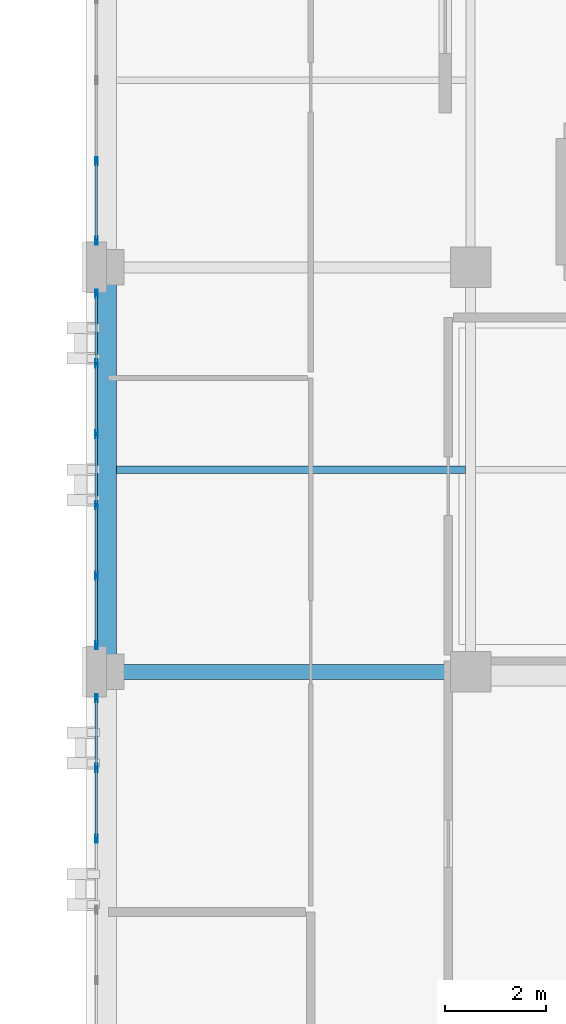
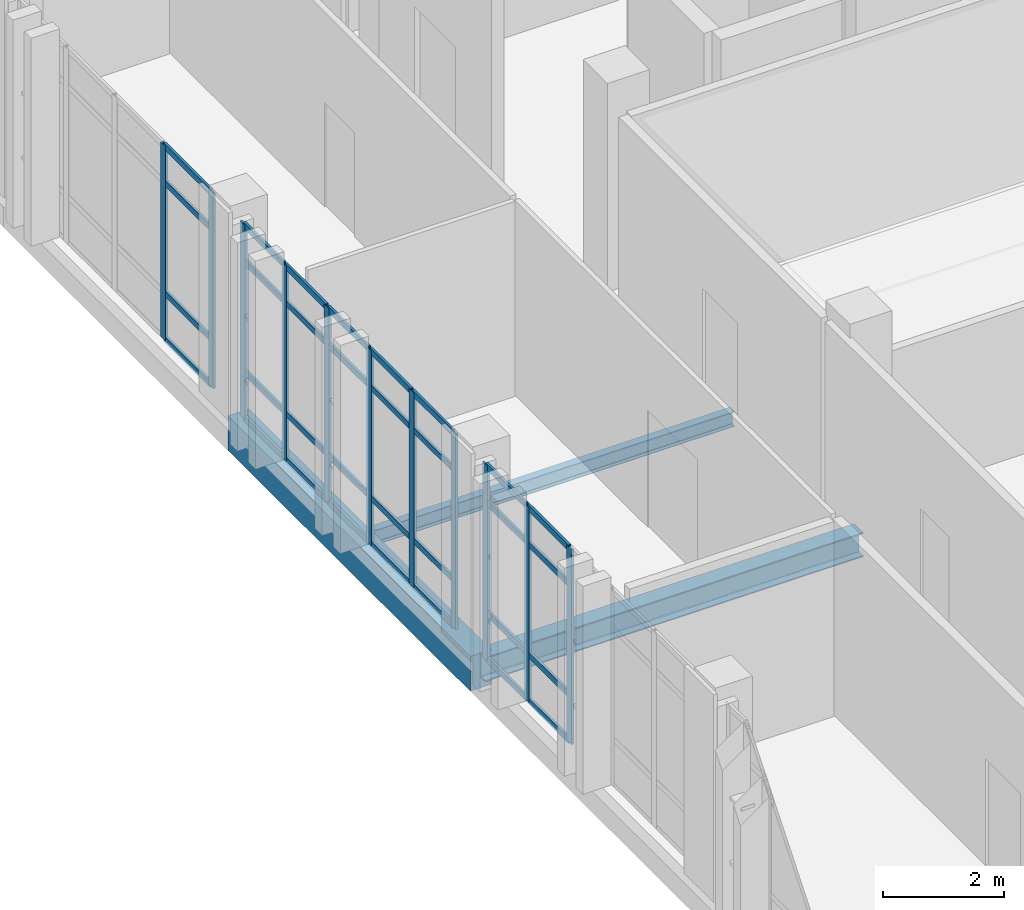
# One storey, part 57 of 158: 43 members, 3 beams, 3 elements without a shape of their own.
"""IFC4 building model written with IfcOpenShell, lengths in metres."""

from ifc_helpers import new_model, si_unit, direction, frame, origin, origin_2d, place, context, subcontext, project, spatial, rectangle, hollow_rectangle, i_section, extrude, material, layer, layer_set, material_profile, profile_set, type_object, element, aggregate, save


model = new_model("IFC4")

# Units and contexts
model_context = context("Model", 3, precision=1e-05, world=origin(), true_north=direction((0.0, 1.0)))
body_context = subcontext(model_context, "Body", "Model", "MODEL_VIEW")
ifc_project = project(units=[si_unit("LENGTHUNIT", "METRE"), si_unit("AREAUNIT", "SQUARE_METRE"), si_unit("VOLUMEUNIT", "CUBIC_METRE"), si_unit("PLANEANGLEUNIT", "RADIAN"), si_unit("MASSUNIT", "GRAM", prefix="KILO")], contexts=[model_context])

# Site, building, storey
site_placement = place(None, origin())
site = spatial("IfcSite", under=ifc_project, at=site_placement, CompositionType="ELEMENT")
building_placement = place(site_placement, origin())
building = spatial("IfcBuilding", under=site, at=building_placement, Name="Qalavern Law Courts", CompositionType="ELEMENT")
storey_placement = place(building_placement, frame((0.0, 0.0, 18.60009765625)))
storey = spatial("IfcBuildingStorey", under=building, at=storey_placement, Name="L04", CompositionType="ELEMENT", Elevation=18.60009765625)

# Curtain wall, members
ifc_material_1 = material(Name="Anodised aluminium and insulated glazing", Category="aluminium")
ifc_layer = layer(ifc_material_1, 0.159912109375)
ifc_layer_set = layer_set([ifc_layer], Name="Anodised aluminium and insulated glazing")
curtain_wall_type = type_object("IfcCurtainWallType", Name="ENV-CW-CHAMB", PredefinedType="USERDEFINED", material=ifc_layer_set)
curtain_wall_1_placement = place(storey_placement, origin())
curtain_wall_1 = element("IfcCurtainWall", 1, at=curtain_wall_1_placement, inside=storey, type_object=curtain_wall_type, Name="V4 unitised curtain wall L04 west 3", ObjectType="UNITISED CURTAIN WALL", PredefinedType="USERDEFINED")
ifc_material_2 = material(Name="Anodised aluminium", Category="aluminium")
ifc_material_profile_1 = material_profile(ifc_material_2, hollow_rectangle(XDim=0.048095703125, YDim=0.159912109375, WallThickness=0.00390625, at=origin_2d()), Name="ALU MULLION 48x160")
ifc_profile_set_1 = profile_set([ifc_material_profile_1], Name="Anodised aluminium")
member_type_1 = type_object("IfcMemberType", Name="ENV-CWM-48x160", PredefinedType="MULLION", material=ifc_profile_set_1)
member_1_placement = place(storey_placement, frame((84.39990234375, 67.5, 0.0), z_axis=(0.0, 0.0, 1.0), x_axis=(1.0, 0.0, 0.0)))
member_1 = element("IfcMember", 2, at=member_1_placement, type_object=member_type_1, Name="CW-04 mullion 4", PredefinedType="MULLION", context=body_context, shape_type="SweptSolid", body=[
    extrude(hollow_rectangle(XDim=0.048095703125, YDim=0.159912109375, WallThickness=0.00390625, at=origin_2d()), origin(), (0.0, 0.0, 1.0), 3.9248046875),
])
member_2_placement = place(storey_placement, frame((84.39990234375, 65.924072265625, 0.0), z_axis=(0.0, 0.0, 1.0), x_axis=(1.0, 0.0, 0.0)))
member_2 = element("IfcMember", 3, at=member_2_placement, type_object=member_type_1, Name="CW-04 mullion 5", PredefinedType="MULLION", context=body_context, shape_type="SweptSolid", body=[
    extrude(hollow_rectangle(XDim=0.048095703125, YDim=0.159912109375, WallThickness=0.00390625, at=origin_2d()), origin(), (0.0, 0.0, 1.0), 3.9248046875),
])

curtain_wall_2_placement = place(storey_placement, origin())
curtain_wall_2 = element("IfcCurtainWall", 4, at=curtain_wall_2_placement, inside=storey, type_object=curtain_wall_type, Name="V4 unitised curtain wall L04 west 4", ObjectType="UNITISED CURTAIN WALL", PredefinedType="USERDEFINED")
member_3_placement = place(storey_placement, frame((84.39990234375, 64.8759765625, 0.0), z_axis=(0.0, 0.0, 1.0), x_axis=(1.0, 0.0, 0.0)))
member_3 = element("IfcMember", 5, at=member_3_placement, type_object=member_type_1, Name="CW-04 mullion 1", PredefinedType="MULLION", context=body_context, shape_type="SweptSolid", body=[
    extrude(hollow_rectangle(XDim=0.048095703125, YDim=0.159912109375, WallThickness=0.00390625, at=origin_2d()), origin(), (0.0, 0.0, 1.0), 3.9248046875),
])
member_4_placement = place(storey_placement, frame((84.39990234375, 63.5, 0.0), z_axis=(0.0, 0.0, 1.0), x_axis=(1.0, 0.0, 0.0)))
member_4 = element("IfcMember", 6, at=member_4_placement, type_object=member_type_1, Name="CW-04 mullion 2", PredefinedType="MULLION", context=body_context, shape_type="SweptSolid", body=[
    extrude(hollow_rectangle(XDim=0.048095703125, YDim=0.159912109375, WallThickness=0.00390625, at=origin_2d()), origin(), (0.0, 0.0, 1.0), 3.9248046875),
])
member_5_placement = place(storey_placement, frame((84.39990234375, 62.10009765625, 0.0), z_axis=(0.0, 0.0, 1.0), x_axis=(1.0, 0.0, 0.0)))
member_5 = element("IfcMember", 7, at=member_5_placement, type_object=member_type_1, Name="CW-04 mullion 3", PredefinedType="MULLION", context=body_context, shape_type="SweptSolid", body=[
    extrude(hollow_rectangle(XDim=0.048095703125, YDim=0.159912109375, WallThickness=0.00390625, at=origin_2d()), origin(), (0.0, 0.0, 1.0), 3.9248046875),
])
member_6_placement = place(storey_placement, frame((84.39990234375, 60.699951171875, 0.0), z_axis=(0.0, 0.0, 1.0), x_axis=(1.0, 0.0, 0.0)))
member_6 = element("IfcMember", 8, at=member_6_placement, type_object=member_type_1, Name="CW-04 mullion 4", PredefinedType="MULLION", context=body_context, shape_type="SweptSolid", body=[
    extrude(hollow_rectangle(XDim=0.048095703125, YDim=0.159912109375, WallThickness=0.00390625, at=origin_2d()), origin(), (0.0, 0.0, 1.0), 3.9248046875),
])
member_7_placement = place(storey_placement, frame((84.39990234375, 59.300048828125, 0.0), z_axis=(0.0, 0.0, 1.0), x_axis=(1.0, 0.0, 0.0)))
member_7 = element("IfcMember", 9, at=member_7_placement, type_object=member_type_1, Name="CW-04 mullion 5", PredefinedType="MULLION", context=body_context, shape_type="SweptSolid", body=[
    extrude(hollow_rectangle(XDim=0.048095703125, YDim=0.159912109375, WallThickness=0.00390625, at=origin_2d()), origin(), (0.0, 0.0, 1.0), 3.9248046875),
])
member_8_placement = place(storey_placement, frame((84.39990234375, 57.924072265625, 0.0), z_axis=(0.0, 0.0, 1.0), x_axis=(1.0, 0.0, 0.0)))
member_8 = element("IfcMember", 10, at=member_8_placement, type_object=member_type_1, Name="CW-04 mullion 6", PredefinedType="MULLION", context=body_context, shape_type="SweptSolid", body=[
    extrude(hollow_rectangle(XDim=0.048095703125, YDim=0.159912109375, WallThickness=0.00390625, at=origin_2d()), origin(), (0.0, 0.0, 1.0), 3.9248046875),
])

curtain_wall_3_placement = place(storey_placement, origin())
curtain_wall_3 = element("IfcCurtainWall", 11, at=curtain_wall_3_placement, inside=storey, type_object=curtain_wall_type, Name="V4 unitised curtain wall L04 west 5", ObjectType="UNITISED CURTAIN WALL", PredefinedType="USERDEFINED")
member_9_placement = place(storey_placement, frame((84.39990234375, 56.8759765625, 0.0), z_axis=(0.0, 0.0, 1.0), x_axis=(1.0, 0.0, 0.0)))
member_9 = element("IfcMember", 12, at=member_9_placement, type_object=member_type_1, Name="CW-04 mullion 1", PredefinedType="MULLION", context=body_context, shape_type="SweptSolid", body=[
    extrude(hollow_rectangle(XDim=0.048095703125, YDim=0.159912109375, WallThickness=0.00390625, at=origin_2d()), origin(), (0.0, 0.0, 1.0), 3.9248046875),
])
member_10_placement = place(storey_placement, frame((84.39990234375, 55.5, 0.0), z_axis=(0.0, 0.0, 1.0), x_axis=(1.0, 0.0, 0.0)))
member_10 = element("IfcMember", 13, at=member_10_placement, type_object=member_type_1, Name="CW-04 mullion 2", PredefinedType="MULLION", context=body_context, shape_type="SweptSolid", body=[
    extrude(hollow_rectangle(XDim=0.048095703125, YDim=0.159912109375, WallThickness=0.00390625, at=origin_2d()), origin(), (0.0, 0.0, 1.0), 3.9248046875),
])
member_11_placement = place(storey_placement, frame((84.39990234375, 54.10009765625, 0.0), z_axis=(0.0, 0.0, 1.0), x_axis=(1.0, 0.0, 0.0)))
member_11 = element("IfcMember", 14, at=member_11_placement, type_object=member_type_1, Name="CW-04 mullion 3", PredefinedType="MULLION", context=body_context, shape_type="SweptSolid", body=[
    extrude(hollow_rectangle(XDim=0.048095703125, YDim=0.159912109375, WallThickness=0.00390625, at=origin_2d()), origin(), (0.0, 0.0, 1.0), 3.9248046875),
])

# Member
ifc_material_profile_2 = material_profile(ifc_material_2, hollow_rectangle(XDim=0.048095703125, YDim=0.1201171875, WallThickness=0.00390625, at=origin_2d()), Name="ALU TRANSOM 48x120")
ifc_profile_set_2 = profile_set([ifc_material_profile_2], Name="Anodised aluminium")
member_type_2 = type_object("IfcMemberType", Name="ENV-CWT-48x120", PredefinedType="USERDEFINED", material=ifc_profile_set_2)
member_12_placement = place(storey_placement, frame((84.39990234375, 67.47607421875, 0.02392578125), z_axis=(0.0, -1.0, 0.0), x_axis=(1.0, 0.0, 0.0)))
member_12 = element("IfcMember", 15, at=member_12_placement, type_object=member_type_2, Name="CW-04 transom 4.1", ObjectType="TRANSOM", PredefinedType="USERDEFINED", context=body_context, shape_type="SweptSolid", body=[
    extrude(hollow_rectangle(XDim=0.048095703125, YDim=0.1201171875, WallThickness=0.00390625, at=origin_2d()), origin(), (0.0, 0.0, 1.0), 1.528076171875),
])

member_13_placement = place(storey_placement, frame((84.39990234375, 67.47607421875, 0.949951171875), z_axis=(0.0, -1.0, 0.0), x_axis=(1.0, 0.0, 0.0)))
member_13 = element("IfcMember", 16, at=member_13_placement, type_object=member_type_2, Name="CW-04 transom 4.2", ObjectType="TRANSOM", PredefinedType="USERDEFINED", context=body_context, shape_type="SweptSolid", body=[
    extrude(hollow_rectangle(XDim=0.048095703125, YDim=0.1201171875, WallThickness=0.00390625, at=origin_2d()), origin(), (0.0, 0.0, 1.0), 1.528076171875),
])

member_14_placement = place(storey_placement, frame((84.39990234375, 67.47607421875, 3.1748046875), z_axis=(0.0, -1.0, 0.0), x_axis=(1.0, 0.0, 0.0)))
member_14 = element("IfcMember", 17, at=member_14_placement, type_object=member_type_2, Name="CW-04 transom 4.3", ObjectType="TRANSOM", PredefinedType="USERDEFINED", context=body_context, shape_type="SweptSolid", body=[
    extrude(hollow_rectangle(XDim=0.048095703125, YDim=0.1201171875, WallThickness=0.00390625, at=origin_2d()), origin(), (0.0, 0.0, 1.0), 1.528076171875),
])

member_15_placement = place(storey_placement, frame((84.39990234375, 67.47607421875, 3.90087890625), z_axis=(0.0, -1.0, 0.0), x_axis=(1.0, 0.0, 0.0)))
member_15 = element("IfcMember", 18, at=member_15_placement, type_object=member_type_2, Name="CW-04 transom 4.4", ObjectType="TRANSOM", PredefinedType="USERDEFINED", context=body_context, shape_type="SweptSolid", body=[
    extrude(hollow_rectangle(XDim=0.048095703125, YDim=0.1201171875, WallThickness=0.00390625, at=origin_2d()), origin(), (0.0, 0.0, 1.0), 1.528076171875),
])

aggregate(curtain_wall_1, [member_1, member_2, member_12, member_13, member_14, member_15])

member_16_placement = place(storey_placement, frame((84.39990234375, 64.85205078125, 0.02392578125), z_axis=(0.0, -1.0, 0.0), x_axis=(1.0, 0.0, 0.0)))
member_16 = element("IfcMember", 19, at=member_16_placement, type_object=member_type_2, Name="CW-04 transom 1.1", ObjectType="TRANSOM", PredefinedType="USERDEFINED", context=body_context, shape_type="SweptSolid", body=[
    extrude(hollow_rectangle(XDim=0.048095703125, YDim=0.1201171875, WallThickness=0.00390625, at=origin_2d()), origin(), (0.0, 0.0, 1.0), 1.328125),
])

member_17_placement = place(storey_placement, frame((84.39990234375, 64.85205078125, 0.949951171875), z_axis=(0.0, -1.0, 0.0), x_axis=(1.0, 0.0, 0.0)))
member_17 = element("IfcMember", 20, at=member_17_placement, type_object=member_type_2, Name="CW-04 transom 1.2", ObjectType="TRANSOM", PredefinedType="USERDEFINED", context=body_context, shape_type="SweptSolid", body=[
    extrude(hollow_rectangle(XDim=0.048095703125, YDim=0.1201171875, WallThickness=0.00390625, at=origin_2d()), origin(), (0.0, 0.0, 1.0), 1.328125),
])

member_18_placement = place(storey_placement, frame((84.39990234375, 64.85205078125, 3.1748046875), z_axis=(0.0, -1.0, 0.0), x_axis=(1.0, 0.0, 0.0)))
member_18 = element("IfcMember", 21, at=member_18_placement, type_object=member_type_2, Name="CW-04 transom 1.3", ObjectType="TRANSOM", PredefinedType="USERDEFINED", context=body_context, shape_type="SweptSolid", body=[
    extrude(hollow_rectangle(XDim=0.048095703125, YDim=0.1201171875, WallThickness=0.00390625, at=origin_2d()), origin(), (0.0, 0.0, 1.0), 1.328125),
])

member_19_placement = place(storey_placement, frame((84.39990234375, 64.85205078125, 3.90087890625), z_axis=(0.0, -1.0, 0.0), x_axis=(1.0, 0.0, 0.0)))
member_19 = element("IfcMember", 22, at=member_19_placement, type_object=member_type_2, Name="CW-04 transom 1.4", ObjectType="TRANSOM", PredefinedType="USERDEFINED", context=body_context, shape_type="SweptSolid", body=[
    extrude(hollow_rectangle(XDim=0.048095703125, YDim=0.1201171875, WallThickness=0.00390625, at=origin_2d()), origin(), (0.0, 0.0, 1.0), 1.328125),
])

member_20_placement = place(storey_placement, frame((84.39990234375, 63.47607421875, 0.02392578125), z_axis=(0.0, -1.0, 0.0), x_axis=(1.0, 0.0, 0.0)))
member_20 = element("IfcMember", 23, at=member_20_placement, type_object=member_type_2, Name="CW-04 transom 2.1", ObjectType="TRANSOM", PredefinedType="USERDEFINED", context=body_context, shape_type="SweptSolid", body=[
    extrude(hollow_rectangle(XDim=0.048095703125, YDim=0.1201171875, WallThickness=0.00390625, at=origin_2d()), origin(), (0.0, 0.0, 1.0), 1.35205078125),
])

member_21_placement = place(storey_placement, frame((84.39990234375, 63.47607421875, 0.949951171875), z_axis=(0.0, -1.0, 0.0), x_axis=(1.0, 0.0, 0.0)))
member_21 = element("IfcMember", 24, at=member_21_placement, type_object=member_type_2, Name="CW-04 transom 2.2", ObjectType="TRANSOM", PredefinedType="USERDEFINED", context=body_context, shape_type="SweptSolid", body=[
    extrude(hollow_rectangle(XDim=0.048095703125, YDim=0.1201171875, WallThickness=0.00390625, at=origin_2d()), origin(), (0.0, 0.0, 1.0), 1.35205078125),
])

member_22_placement = place(storey_placement, frame((84.39990234375, 63.47607421875, 3.1748046875), z_axis=(0.0, -1.0, 0.0), x_axis=(1.0, 0.0, 0.0)))
member_22 = element("IfcMember", 25, at=member_22_placement, type_object=member_type_2, Name="CW-04 transom 2.3", ObjectType="TRANSOM", PredefinedType="USERDEFINED", context=body_context, shape_type="SweptSolid", body=[
    extrude(hollow_rectangle(XDim=0.048095703125, YDim=0.1201171875, WallThickness=0.00390625, at=origin_2d()), origin(), (0.0, 0.0, 1.0), 1.35205078125),
])

member_23_placement = place(storey_placement, frame((84.39990234375, 63.47607421875, 3.90087890625), z_axis=(0.0, -1.0, 0.0), x_axis=(1.0, 0.0, 0.0)))
member_23 = element("IfcMember", 26, at=member_23_placement, type_object=member_type_2, Name="CW-04 transom 2.4", ObjectType="TRANSOM", PredefinedType="USERDEFINED", context=body_context, shape_type="SweptSolid", body=[
    extrude(hollow_rectangle(XDim=0.048095703125, YDim=0.1201171875, WallThickness=0.00390625, at=origin_2d()), origin(), (0.0, 0.0, 1.0), 1.35205078125),
])

member_24_placement = place(storey_placement, frame((84.39990234375, 62.075927734375, 0.02392578125), z_axis=(0.0, -1.0, 0.0), x_axis=(1.0, 0.0, 0.0)))
member_24 = element("IfcMember", 27, at=member_24_placement, type_object=member_type_2, Name="CW-04 transom 3.1", ObjectType="TRANSOM", PredefinedType="USERDEFINED", context=body_context, shape_type="SweptSolid", body=[
    extrude(hollow_rectangle(XDim=0.048095703125, YDim=0.1201171875, WallThickness=0.00390625, at=origin_2d()), origin(), (0.0, 0.0, 1.0), 1.351806640625),
])

member_25_placement = place(storey_placement, frame((84.39990234375, 62.075927734375, 0.949951171875), z_axis=(0.0, -1.0, 0.0), x_axis=(1.0, 0.0, 0.0)))
member_25 = element("IfcMember", 28, at=member_25_placement, type_object=member_type_2, Name="CW-04 transom 3.2", ObjectType="TRANSOM", PredefinedType="USERDEFINED", context=body_context, shape_type="SweptSolid", body=[
    extrude(hollow_rectangle(XDim=0.048095703125, YDim=0.1201171875, WallThickness=0.00390625, at=origin_2d()), origin(), (0.0, 0.0, 1.0), 1.351806640625),
])

member_26_placement = place(storey_placement, frame((84.39990234375, 62.075927734375, 3.1748046875), z_axis=(0.0, -1.0, 0.0), x_axis=(1.0, 0.0, 0.0)))
member_26 = element("IfcMember", 29, at=member_26_placement, type_object=member_type_2, Name="CW-04 transom 3.3", ObjectType="TRANSOM", PredefinedType="USERDEFINED", context=body_context, shape_type="SweptSolid", body=[
    extrude(hollow_rectangle(XDim=0.048095703125, YDim=0.1201171875, WallThickness=0.00390625, at=origin_2d()), origin(), (0.0, 0.0, 1.0), 1.351806640625),
])

member_27_placement = place(storey_placement, frame((84.39990234375, 62.075927734375, 3.90087890625), z_axis=(0.0, -1.0, 0.0), x_axis=(1.0, 0.0, 0.0)))
member_27 = element("IfcMember", 30, at=member_27_placement, type_object=member_type_2, Name="CW-04 transom 3.4", ObjectType="TRANSOM", PredefinedType="USERDEFINED", context=body_context, shape_type="SweptSolid", body=[
    extrude(hollow_rectangle(XDim=0.048095703125, YDim=0.1201171875, WallThickness=0.00390625, at=origin_2d()), origin(), (0.0, 0.0, 1.0), 1.351806640625),
])

member_28_placement = place(storey_placement, frame((84.39990234375, 60.676025390625, 0.02392578125), z_axis=(0.0, -1.0, 0.0), x_axis=(1.0, 0.0, 0.0)))
member_28 = element("IfcMember", 31, at=member_28_placement, type_object=member_type_2, Name="CW-04 transom 4.1", ObjectType="TRANSOM", PredefinedType="USERDEFINED", context=body_context, shape_type="SweptSolid", body=[
    extrude(hollow_rectangle(XDim=0.048095703125, YDim=0.1201171875, WallThickness=0.00390625, at=origin_2d()), origin(), (0.0, 0.0, 1.0), 1.35205078125),
])

member_29_placement = place(storey_placement, frame((84.39990234375, 60.676025390625, 0.949951171875), z_axis=(0.0, -1.0, 0.0), x_axis=(1.0, 0.0, 0.0)))
member_29 = element("IfcMember", 32, at=member_29_placement, type_object=member_type_2, Name="CW-04 transom 4.2", ObjectType="TRANSOM", PredefinedType="USERDEFINED", context=body_context, shape_type="SweptSolid", body=[
    extrude(hollow_rectangle(XDim=0.048095703125, YDim=0.1201171875, WallThickness=0.00390625, at=origin_2d()), origin(), (0.0, 0.0, 1.0), 1.35205078125),
])

member_30_placement = place(storey_placement, frame((84.39990234375, 60.676025390625, 3.1748046875), z_axis=(0.0, -1.0, 0.0), x_axis=(1.0, 0.0, 0.0)))
member_30 = element("IfcMember", 33, at=member_30_placement, type_object=member_type_2, Name="CW-04 transom 4.3", ObjectType="TRANSOM", PredefinedType="USERDEFINED", context=body_context, shape_type="SweptSolid", body=[
    extrude(hollow_rectangle(XDim=0.048095703125, YDim=0.1201171875, WallThickness=0.00390625, at=origin_2d()), origin(), (0.0, 0.0, 1.0), 1.35205078125),
])

member_31_placement = place(storey_placement, frame((84.39990234375, 60.676025390625, 3.90087890625), z_axis=(0.0, -1.0, 0.0), x_axis=(1.0, 0.0, 0.0)))
member_31 = element("IfcMember", 34, at=member_31_placement, type_object=member_type_2, Name="CW-04 transom 4.4", ObjectType="TRANSOM", PredefinedType="USERDEFINED", context=body_context, shape_type="SweptSolid", body=[
    extrude(hollow_rectangle(XDim=0.048095703125, YDim=0.1201171875, WallThickness=0.00390625, at=origin_2d()), origin(), (0.0, 0.0, 1.0), 1.35205078125),
])

member_32_placement = place(storey_placement, frame((84.39990234375, 59.27587890625, 0.02392578125), z_axis=(0.0, -1.0, 0.0), x_axis=(1.0, 0.0, 0.0)))
member_32 = element("IfcMember", 35, at=member_32_placement, type_object=member_type_2, Name="CW-04 transom 5.1", ObjectType="TRANSOM", PredefinedType="USERDEFINED", context=body_context, shape_type="SweptSolid", body=[
    extrude(hollow_rectangle(XDim=0.048095703125, YDim=0.1201171875, WallThickness=0.00390625, at=origin_2d()), origin(), (0.0, 0.0, 1.0), 1.327880859375),
])

member_33_placement = place(storey_placement, frame((84.39990234375, 59.27587890625, 0.949951171875), z_axis=(0.0, -1.0, 0.0), x_axis=(1.0, 0.0, 0.0)))
member_33 = element("IfcMember", 36, at=member_33_placement, type_object=member_type_2, Name="CW-04 transom 5.2", ObjectType="TRANSOM", PredefinedType="USERDEFINED", context=body_context, shape_type="SweptSolid", body=[
    extrude(hollow_rectangle(XDim=0.048095703125, YDim=0.1201171875, WallThickness=0.00390625, at=origin_2d()), origin(), (0.0, 0.0, 1.0), 1.327880859375),
])

member_34_placement = place(storey_placement, frame((84.39990234375, 59.27587890625, 3.1748046875), z_axis=(0.0, -1.0, 0.0), x_axis=(1.0, 0.0, 0.0)))
member_34 = element("IfcMember", 37, at=member_34_placement, type_object=member_type_2, Name="CW-04 transom 5.3", ObjectType="TRANSOM", PredefinedType="USERDEFINED", context=body_context, shape_type="SweptSolid", body=[
    extrude(hollow_rectangle(XDim=0.048095703125, YDim=0.1201171875, WallThickness=0.00390625, at=origin_2d()), origin(), (0.0, 0.0, 1.0), 1.327880859375),
])

member_35_placement = place(storey_placement, frame((84.39990234375, 59.27587890625, 3.90087890625), z_axis=(0.0, -1.0, 0.0), x_axis=(1.0, 0.0, 0.0)))
member_35 = element("IfcMember", 38, at=member_35_placement, type_object=member_type_2, Name="CW-04 transom 5.4", ObjectType="TRANSOM", PredefinedType="USERDEFINED", context=body_context, shape_type="SweptSolid", body=[
    extrude(hollow_rectangle(XDim=0.048095703125, YDim=0.1201171875, WallThickness=0.00390625, at=origin_2d()), origin(), (0.0, 0.0, 1.0), 1.327880859375),
])

aggregate(curtain_wall_2, [member_3, member_4, member_5, member_6, member_7, member_8, member_16, member_17, member_18, member_19, member_20, member_21, member_22, member_23, member_24, member_25, member_26, member_27, member_28, member_29, member_30, member_31, member_32, member_33, member_34, member_35])

member_36_placement = place(storey_placement, frame((84.39990234375, 56.85205078125, 0.02392578125), z_axis=(0.0, -1.0, 0.0), x_axis=(1.0, 0.0, 0.0)))
member_36 = element("IfcMember", 39, at=member_36_placement, type_object=member_type_2, Name="CW-04 transom 1.1", ObjectType="TRANSOM", PredefinedType="USERDEFINED", context=body_context, shape_type="SweptSolid", body=[
    extrude(hollow_rectangle(XDim=0.048095703125, YDim=0.1201171875, WallThickness=0.00390625, at=origin_2d()), origin(), (0.0, 0.0, 1.0), 1.328125),
])

member_37_placement = place(storey_placement, frame((84.39990234375, 56.85205078125, 0.949951171875), z_axis=(0.0, -1.0, 0.0), x_axis=(1.0, 0.0, 0.0)))
member_37 = element("IfcMember", 40, at=member_37_placement, type_object=member_type_2, Name="CW-04 transom 1.2", ObjectType="TRANSOM", PredefinedType="USERDEFINED", context=body_context, shape_type="SweptSolid", body=[
    extrude(hollow_rectangle(XDim=0.048095703125, YDim=0.1201171875, WallThickness=0.00390625, at=origin_2d()), origin(), (0.0, 0.0, 1.0), 1.328125),
])

member_38_placement = place(storey_placement, frame((84.39990234375, 56.85205078125, 3.1748046875), z_axis=(0.0, -1.0, 0.0), x_axis=(1.0, 0.0, 0.0)))
member_38 = element("IfcMember", 41, at=member_38_placement, type_object=member_type_2, Name="CW-04 transom 1.3", ObjectType="TRANSOM", PredefinedType="USERDEFINED", context=body_context, shape_type="SweptSolid", body=[
    extrude(hollow_rectangle(XDim=0.048095703125, YDim=0.1201171875, WallThickness=0.00390625, at=origin_2d()), origin(), (0.0, 0.0, 1.0), 1.328125),
])

member_39_placement = place(storey_placement, frame((84.39990234375, 56.85205078125, 3.90087890625), z_axis=(0.0, -1.0, 0.0), x_axis=(1.0, 0.0, 0.0)))
member_39 = element("IfcMember", 42, at=member_39_placement, type_object=member_type_2, Name="CW-04 transom 1.4", ObjectType="TRANSOM", PredefinedType="USERDEFINED", context=body_context, shape_type="SweptSolid", body=[
    extrude(hollow_rectangle(XDim=0.048095703125, YDim=0.1201171875, WallThickness=0.00390625, at=origin_2d()), origin(), (0.0, 0.0, 1.0), 1.328125),
])

member_40_placement = place(storey_placement, frame((84.39990234375, 55.47607421875, 0.02392578125), z_axis=(0.0, -1.0, 0.0), x_axis=(1.0, 0.0, 0.0)))
member_40 = element("IfcMember", 43, at=member_40_placement, type_object=member_type_2, Name="CW-04 transom 2.1", ObjectType="TRANSOM", PredefinedType="USERDEFINED", context=body_context, shape_type="SweptSolid", body=[
    extrude(hollow_rectangle(XDim=0.048095703125, YDim=0.1201171875, WallThickness=0.00390625, at=origin_2d()), origin(), (0.0, 0.0, 1.0), 1.35205078125),
])

member_41_placement = place(storey_placement, frame((84.39990234375, 55.47607421875, 0.949951171875), z_axis=(0.0, -1.0, 0.0), x_axis=(1.0, 0.0, 0.0)))
member_41 = element("IfcMember", 44, at=member_41_placement, type_object=member_type_2, Name="CW-04 transom 2.2", ObjectType="TRANSOM", PredefinedType="USERDEFINED", context=body_context, shape_type="SweptSolid", body=[
    extrude(hollow_rectangle(XDim=0.048095703125, YDim=0.1201171875, WallThickness=0.00390625, at=origin_2d()), origin(), (0.0, 0.0, 1.0), 1.35205078125),
])

member_42_placement = place(storey_placement, frame((84.39990234375, 55.47607421875, 3.1748046875), z_axis=(0.0, -1.0, 0.0), x_axis=(1.0, 0.0, 0.0)))
member_42 = element("IfcMember", 45, at=member_42_placement, type_object=member_type_2, Name="CW-04 transom 2.3", ObjectType="TRANSOM", PredefinedType="USERDEFINED", context=body_context, shape_type="SweptSolid", body=[
    extrude(hollow_rectangle(XDim=0.048095703125, YDim=0.1201171875, WallThickness=0.00390625, at=origin_2d()), origin(), (0.0, 0.0, 1.0), 1.35205078125),
])

member_43_placement = place(storey_placement, frame((84.39990234375, 55.47607421875, 3.90087890625), z_axis=(0.0, -1.0, 0.0), x_axis=(1.0, 0.0, 0.0)))
member_43 = element("IfcMember", 46, at=member_43_placement, type_object=member_type_2, Name="CW-04 transom 2.4", ObjectType="TRANSOM", PredefinedType="USERDEFINED", context=body_context, shape_type="SweptSolid", body=[
    extrude(hollow_rectangle(XDim=0.048095703125, YDim=0.1201171875, WallThickness=0.00390625, at=origin_2d()), origin(), (0.0, 0.0, 1.0), 1.35205078125),
])

aggregate(curtain_wall_3, [member_9, member_10, member_11, member_36, member_37, member_38, member_39, member_40, member_41, member_42, member_43])

# Beams
ifc_material_3 = material(Name="Steel S355", Category="steel")
ifc_material_profile_3 = material_profile(ifc_material_3, i_section(OverallWidth=0.300048828125, OverallDepth=0.489990234375, WebThickness=0.011962890625, FlangeThickness=0.02294921875, FilletRadius=0.027099609375, at=origin_2d()), Name="HEA 500")
ifc_profile_set_3 = profile_set([ifc_material_profile_3], Name="Steel S355")
beam_type_1 = type_object("IfcBeamType", Name="STR-BM-HEA500", PredefinedType="BEAM", material=ifc_profile_set_3)
beam_1_placement = place(storey_placement, frame((84.60009765625, 57.39990234375, -0.525146484375), z_axis=(1.0, 0.0, 0.0), x_axis=(0.0, 1.0, 0.0)))
element("IfcBeam", 47, at=beam_1_placement, inside=storey, type_object=beam_type_1, Name="V4 X-beam 3-1 L04", PredefinedType="BEAM", context=body_context, shape_type="SweptSolid", body=[
    extrude(i_section(OverallWidth=0.300048828125, OverallDepth=0.489990234375, WebThickness=0.011962890625, FlangeThickness=0.02294921875, FilletRadius=0.027099609375, at=origin_2d()), origin(), (0.0, 0.0, 1.0), 7.199951171875),
])
ifc_material_profile_4 = material_profile(ifc_material_3, i_section(OverallWidth=0.14990234375, OverallDepth=0.300048828125, WebThickness=0.007080078125, FlangeThickness=0.0107421875, FilletRadius=0.014892578125, at=origin_2d()), Name="IPE 300")
ifc_profile_set_4 = profile_set([ifc_material_profile_4], Name="Steel S355")
beam_type_2 = type_object("IfcBeamType", Name="STR-JST-IPE300", PredefinedType="JOIST", material=ifc_profile_set_4)
beam_2_placement = place(storey_placement, frame((84.798095703125, 61.39990234375, -0.43017578125), z_axis=(1.0, 0.0, 0.0), x_axis=(0.0, 1.0, 0.0)))
element("IfcBeam", 48, at=beam_2_placement, inside=storey, type_object=beam_type_2, Name="V4 secondary joist 1.3.1 L04", PredefinedType="JOIST", context=body_context, shape_type="SweptSolid", body=[
    extrude(i_section(OverallWidth=0.14990234375, OverallDepth=0.300048828125, WebThickness=0.007080078125, FlangeThickness=0.0107421875, FilletRadius=0.014892578125, at=origin_2d()), origin(), (0.0, 0.0, 1.0), 6.90380859375),
])
ifc_material_4 = material(Name="Concrete C40/50", Category="concrete")
ifc_material_profile_5 = material_profile(ifc_material_4, rectangle(XDim=0.39990234375, YDim=0.699951171875, at=origin_2d()), Name="RC 400x700")
ifc_profile_set_5 = profile_set([ifc_material_profile_5], Name="Concrete C40/50")
beam_type_3 = type_object("IfcBeamType", Name="STR-SP-RC400x700", PredefinedType="SPANDREL", material=ifc_profile_set_5)
beam_3_placement = place(storey_placement, frame((84.60009765625, 57.39990234375, -0.630126953125), z_axis=(0.0, 1.0, 0.0), x_axis=(-1.0, 0.0, 0.0)))
element("IfcBeam", 49, at=beam_3_placement, inside=storey, type_object=beam_type_3, Name="V4 Y-beam 1-3 L04", PredefinedType="SPANDREL", context=body_context, shape_type="SweptSolid", body=[
    extrude(rectangle(XDim=0.39990234375, YDim=0.699951171875, at=origin_2d()), origin(), (0.0, 0.0, 1.0), 8.0),
])

save(model, "model.ifc")
